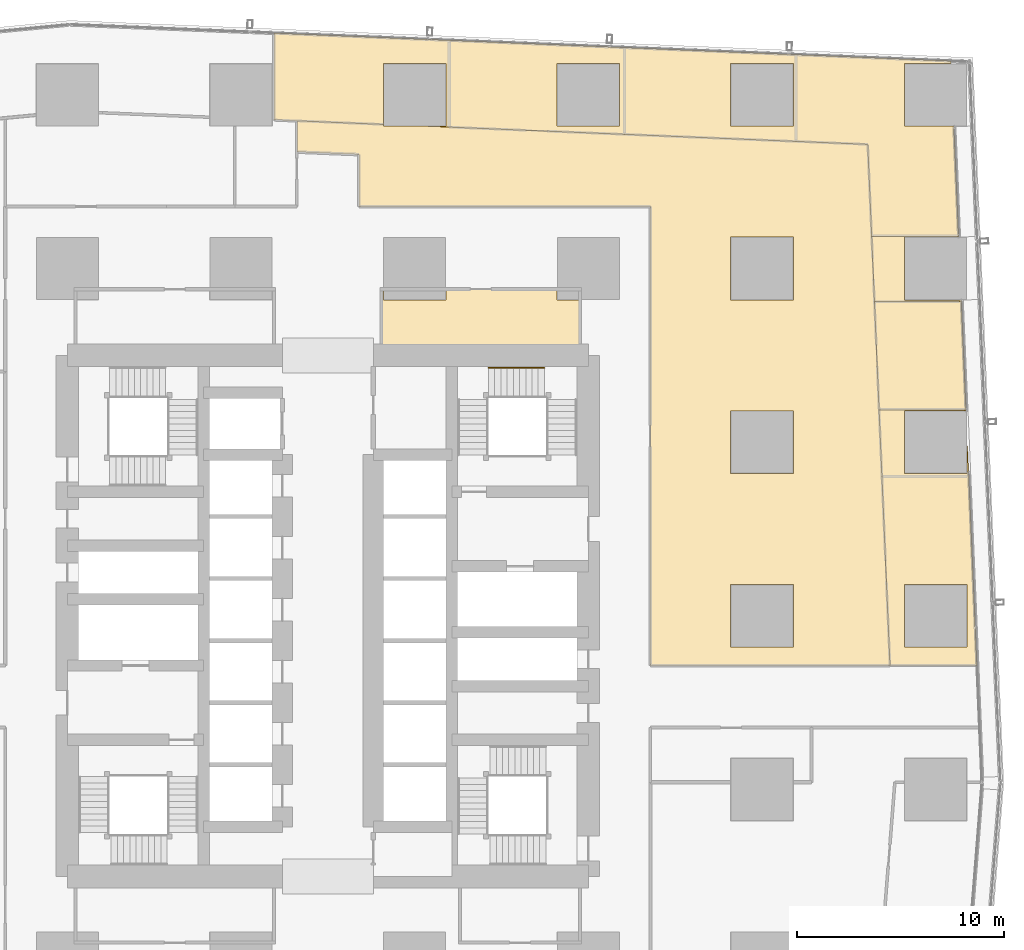
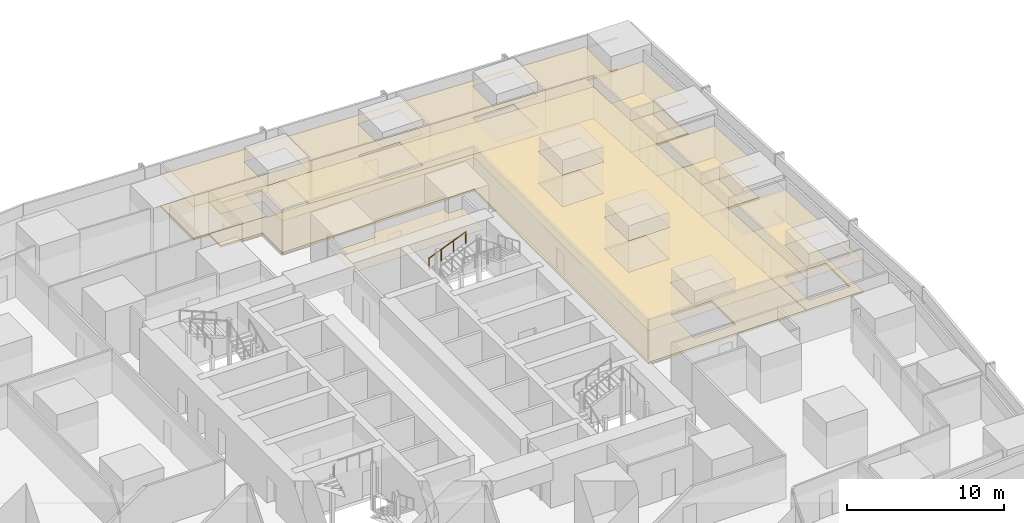
# One storey, part 45 of 45: 11 coverings, 1 railing.
"""IFC4 building model written with IfcOpenShell, lengths in metres."""

import ifcopenshell
import ifcopenshell.guid

model = None  # the IFC model being written
_history = None  # IfcOwnerHistory: only IFC2X3 demands one
_inside = {}  # id of a spatial element -> (the spatial element, [elements in it])
_under = {}  # id of a project, library or spatial element -> (it, [spatial elements below it])
_declared = {}  # id of a project -> (the project, [libraries it declares])
_typed = {}  # id of a type object -> (the type object, [elements of that type])
_made_of = {}  # id of a material, layer set ... -> (it, [elements and type objects made of it])


def new_model(schema):
    """Start an empty IFC model of exactly this schema.

    Asked for "IFC4X3", IfcOpenShell would pick the latest addendum, in which some entities
    have other attributes; the version numbers below select the first issue.
    IFC2X3 requires an IfcOwnerHistory on every rooted entity: one is made here for all.
    """
    global model, _history
    if schema == "IFC4X3":
        model = ifcopenshell.file(schema_version=(4, 3, 0, 0))
    else:
        model = ifcopenshell.file(schema=schema)
    _inside.clear()
    _under.clear()
    _declared.clear()
    _typed.clear()
    _made_of.clear()
    _history = None
    if model.schema == "IFC2X3":
        org = make("IfcOrganization", Name="unknown")
        user = make(
            "IfcPersonAndOrganization",
            ThePerson=make("IfcPerson", FamilyName="unknown"),
            TheOrganization=org,
        )
        app = make(
            "IfcApplication",
            ApplicationDeveloper=org,
            Version="unknown",
            ApplicationFullName="unknown",
            ApplicationIdentifier="unknown",
        )
        _history = make(
            "IfcOwnerHistory",
            OwningUser=user,
            OwningApplication=app,
            ChangeAction="ADDED",
            CreationDate=0,
        )
    return model


def make(cls, **values):
    """One entity of the class cls with the attributes given. An attribute that is None is left unset."""
    return model.create_entity(
        cls, **{name: value for name, value in values.items() if value is not None}
    )


def rooted(cls, **values):
    """An entity with a GlobalId (a new one), such as an element, a storey or a relation."""
    return make(cls, GlobalId=ifcopenshell.guid.new(), OwnerHistory=_history, **values)


def si_unit(unit_type, name, prefix=None):
    """IfcSIUnit, for example si_unit("LENGTHUNIT", "METRE", prefix="MILLI")."""
    return make("IfcSIUnit", UnitType=unit_type, Prefix=prefix, Name=name)


def assignment(units):
    """IfcUnitAssignment: the units of a project."""
    return None if units is None else make("IfcUnitAssignment", Units=units)


def point(xyz):
    """IfcCartesianPoint."""
    return None if xyz is None else make("IfcCartesianPoint", Coordinates=xyz)


def direction(xyz):
    """IfcDirection."""
    return None if xyz is None else make("IfcDirection", DirectionRatios=xyz)


def frame(location, z_axis=None, x_axis=None):
    """IfcAxis2Placement3D, a coordinate frame: its origin and axes. An axis left out is left unset."""
    return make(
        "IfcAxis2Placement3D",
        Location=point(location),
        Axis=direction(z_axis),
        RefDirection=direction(x_axis),
    )


def frame_2d(location, x_axis=None):
    """IfcAxis2Placement2D, a coordinate frame in the plane: its origin and x axis."""
    return make(
        "IfcAxis2Placement2D", Location=point(location), RefDirection=direction(x_axis)
    )


def origin():
    """The frame at (0, 0, 0) with its axes left unset."""
    return frame((0.0, 0.0, 0.0))


def origin_2d():
    """The frame at (0, 0) in the plane with its x axis left unset."""
    return frame_2d((0.0, 0.0))


def place(relative_to, where):
    """IfcLocalPlacement: puts the frame where relative to a parent placement (None: the world)."""
    return make(
        "IfcLocalPlacement", PlacementRelTo=relative_to, RelativePlacement=where
    )


def context(
    kind, dimensions, precision=None, world=None, true_north=None, identifier=None
):
    """IfcGeometricRepresentationContext, for example the 3D "Model" context."""
    return make(
        "IfcGeometricRepresentationContext",
        ContextIdentifier=identifier,
        ContextType=kind,
        CoordinateSpaceDimension=dimensions,
        Precision=precision,
        WorldCoordinateSystem=world,
        TrueNorth=true_north,
    )


def subcontext(parent, identifier, kind, view, scale=None):
    """IfcGeometricRepresentationSubContext, for example "Body" below "Model"."""
    return make(
        "IfcGeometricRepresentationSubContext",
        ContextIdentifier=identifier,
        ContextType=kind,
        ParentContext=parent,
        TargetScale=scale,
        TargetView=view,
    )


def project(units=None, contexts=None):
    """IfcProject with its units and contexts."""
    return rooted(
        "IfcProject",
        Name="project",
        RepresentationContexts=contexts,
        UnitsInContext=assignment(units),
    )


def spatial(cls, under=None, at=None, **own):
    """A site, building, storey or space (cls), placed at a placement, below another one or the project."""
    s = rooted(cls, ObjectPlacement=at, **own)
    if under is not None:
        _under.setdefault(under.id(), (under, []))[1].append(s)
    return s


def polyline(points):
    """IfcPolyline through the points."""
    return make("IfcPolyline", Points=[point(p) for p in points])


def profile(cls, at=None, kind="AREA", **sizes):
    """A parametric profile (cls). Its sizes go by their IFC names, for example OverallWidth=200.0."""
    return make(cls, ProfileType=kind, Position=at, **sizes)


def circle(**sizes):
    """IfcCircleProfileDef."""
    return profile("IfcCircleProfileDef", **sizes)


def outline(outer, holes=None, kind="AREA"):
    """IfcArbitraryClosedProfileDef: a profile drawn as a closed curve; with holes, ...WithVoids."""
    if holes is None:
        return make("IfcArbitraryClosedProfileDef", ProfileType=kind, OuterCurve=outer)
    return make(
        "IfcArbitraryProfileDefWithVoids",
        ProfileType=kind,
        OuterCurve=outer,
        InnerCurves=holes,
    )


def extrude(swept, where, along, depth):
    """IfcExtrudedAreaSolid: the profile swept, set in the frame where, extruded along a direction by depth."""
    return make(
        "IfcExtrudedAreaSolid",
        SweptArea=swept,
        Position=where,
        ExtrudedDirection=direction(along),
        Depth=depth,
    )


def shape(context_of_items, identifier, shape_type, items):
    """IfcShapeRepresentation: the items that make up one representation, for example the "Body"."""
    return make(
        "IfcShapeRepresentation",
        ContextOfItems=context_of_items,
        RepresentationIdentifier=identifier,
        RepresentationType=shape_type,
        Items=items,
    )


def material(Name=None, Category=None):
    """IfcMaterial."""
    return make("IfcMaterial", Name=Name, Category=Category)


def layer(
    of_material, thickness, ventilated=None, Name=None, Category=None, Priority=None
):
    """IfcMaterialLayer: one layer of a wall or slab, of a material (None: an air gap)."""
    return make(
        "IfcMaterialLayer",
        Material=of_material,
        LayerThickness=thickness,
        IsVentilated=ventilated,
        Name=Name,
        Category=Category,
        Priority=Priority,
    )


def layer_set(layers, Name=None):
    """IfcMaterialLayerSet."""
    return make("IfcMaterialLayerSet", MaterialLayers=layers, LayerSetName=Name)


def made_of(thing, what):
    """Note that an element or type object is made of a material, layer set ...; save() writes the relation."""
    if what is not None:
        _made_of.setdefault(what.id(), (what, []))[1].append(thing)
    return thing


def type_object(cls, material=None, **own):
    """A type object (cls), such as IfcWallType, which elements share."""
    return made_of(rooted(cls, **own), material)


def element(
    cls,
    number,
    at=None,
    inside=None,
    cuts=None,
    type_object=None,
    material=None,
    context=None,
    identifier="Body",
    shape_type=None,
    held_by="IfcProductDefinitionShape",
    body=None,
    shapes=None,
    **own,
):
    """One element of the class cls, such as IfcWall. Its Tag is "e" and its number.

    at: its placement. inside: the storey or other place that contains it. cuts: it is an
    opening in that element (IfcRelVoidsElement). A single representation is given by context,
    identifier, shape_type and body (its items); several are given by shapes. held_by: the class
    of the entity that holds the representations. save() writes the other relations.
    """
    e = rooted(cls, Tag="e%d" % number, ObjectPlacement=at, **own)
    if body is not None:
        shapes = [shape(context, identifier, shape_type, body)]
    if shapes is not None:
        e.Representation = make(held_by, Representations=shapes)
    if inside is not None:
        _inside.setdefault(inside.id(), (inside, []))[1].append(e)
    if cuts is not None:
        rooted(
            "IfcRelVoidsElement", RelatingBuildingElement=cuts, RelatedOpeningElement=e
        )
    if type_object is not None:
        _typed.setdefault(type_object.id(), (type_object, []))[1].append(e)
    return made_of(e, material)


def aggregate(whole, parts):
    """IfcRelAggregates: a whole, such as a stair, and the parts it consists of."""
    return rooted("IfcRelAggregates", RelatingObject=whole, RelatedObjects=parts)


def save(model, path):
    """Write the relations noted so far, then the file.

    IfcRelAggregates (storeys below a building ...), IfcRelContainedInSpatialStructure (elements
    in a storey), IfcRelDefinesByType, IfcRelAssociatesMaterial and IfcRelDeclares: one each for
    every whole, place, type object, material and project.
    """
    for whole, parts in _under.values():
        aggregate(whole, parts)
    for where, things in _inside.values():
        rooted(
            "IfcRelContainedInSpatialStructure",
            RelatedElements=things,
            RelatingStructure=where,
        )
    for kind, things in _typed.values():
        rooted("IfcRelDefinesByType", RelatedObjects=things, RelatingType=kind)
    for what, things in _made_of.values():
        rooted("IfcRelAssociatesMaterial", RelatedObjects=things, RelatingMaterial=what)
    for by, libraries in _declared.values():
        rooted("IfcRelDeclares", RelatingContext=by, RelatedDefinitions=libraries)
    model.write(path)


model = new_model("IFC4")

# Units and contexts
model_context = context("Model", 3, precision=1e-05, world=origin(), true_north=direction((0.0, 1.0)))
body_context = subcontext(model_context, "Body", "Model", "MODEL_VIEW")
ifc_project = project(units=[si_unit("LENGTHUNIT", "METRE"), si_unit("AREAUNIT", "SQUARE_METRE"), si_unit("VOLUMEUNIT", "CUBIC_METRE"), si_unit("PLANEANGLEUNIT", "RADIAN"), si_unit("MASSUNIT", "GRAM", prefix="KILO")], contexts=[model_context])

# Site, building, storey
site_placement = place(None, origin())
site = spatial("IfcSite", under=ifc_project, at=site_placement, CompositionType="ELEMENT")
building_placement = place(site_placement, origin())
building = spatial("IfcBuilding", under=site, at=building_placement, Name="Rekha Terrace Tower", CompositionType="ELEMENT")
storey_placement = place(building_placement, frame((0.0, 0.0, 77.89990234375)))
storey = spatial("IfcBuildingStorey", under=building, at=storey_placement, Name="L19", CompositionType="ELEMENT", Elevation=77.89990234375)

# Coverings
ifc_material_1 = material(Name="Mineral fibre tile in exposed grid", Category="finish")
ifc_layer_1 = layer(ifc_material_1, 0.02001953125)
ifc_layer_set_1 = layer_set([ifc_layer_1], Name="Mineral fibre tile in exposed grid")
covering_type_1 = type_object("IfcCoveringType", Name="CL1 600x1200 office grid ceiling", PredefinedType="CEILING", material=ifc_layer_set_1)
covering_1_placement = place(storey_placement, frame((0.0, 0.0, 2.580078125)))
element("IfcCovering", 1, at=covering_1_placement, inside=storey, type_object=covering_type_1, Name="Ceiling L19-14", PredefinedType="CEILING", context=body_context, shape_type="SweptSolid", body=[
    extrude(outline(polyline([(68.6689453125, 43.514892578125), (68.6669921875, 43.555908203125), (64.464111328125, 43.555908203125), (64.60107421875, 40.337890625), (64.990966796875, 31.201904296875), (69.195068359375, 31.201904296875), (68.804931640625, 40.3349609375), (68.741943359375, 41.81005859375), (68.715087890625, 41.81005859375), (68.715087890625, 40.485107421875), (65.68505859375, 40.485107421875), (65.68505859375, 43.514892578125), (68.6689453125, 43.514892578125)]), holes=[polyline([(68.715087890625, 32.0849609375), (65.68505859375, 32.0849609375), (65.68505859375, 35.114990234375), (68.715087890625, 35.114990234375), (68.715087890625, 32.0849609375)])]), origin(), (0.0, 0.0, 1.0), 0.02001953125),
])
covering_2_placement = place(storey_placement, frame((0.0, 0.0, 2.580078125)))
element("IfcCovering", 2, at=covering_2_placement, inside=storey, type_object=covering_type_1, Name="Ceiling L19-15", PredefinedType="CEILING", context=body_context, shape_type="SweptSolid", body=[
    extrude(outline(polyline([(68.443115234375, 48.802978515625), (64.239013671875, 48.802978515625), (64.464111328125, 43.556884765625), (68.6669921875, 43.556884765625), (68.443115234375, 48.802978515625)])), origin(), (0.0, 0.0, 1.0), 0.02001953125),
])
covering_3_placement = place(storey_placement, frame((0.0, 0.0, 2.580078125)))
element("IfcCovering", 3, at=covering_3_placement, inside=storey, type_object=covering_type_1, Name="Ceiling L19-16", PredefinedType="CEILING", context=body_context, shape_type="SweptSolid", body=[
    extrude(outline(polyline([(68.30908203125, 51.9560546875), (64.10498046875, 51.9560546875), (64.239013671875, 48.803955078125), (68.443115234375, 48.803955078125), (68.43994140625, 48.885009765625), (65.68505859375, 48.885009765625), (65.68505859375, 51.9150390625), (68.31103515625, 51.9150390625), (68.30908203125, 51.9560546875)])), origin(), (0.0, 0.0, 1.0), 0.02001953125),
])
covering_4_placement = place(storey_placement, frame((0.0, 0.0, 2.580078125)))
element("IfcCovering", 4, at=covering_4_placement, inside=storey, type_object=covering_type_1, Name="Ceiling L19-17", PredefinedType="CEILING", context=body_context, shape_type="SweptSolid", body=[
    extrude(outline(polyline([(52.14306640625, 61.093994140625), (43.6708984375, 61.444091796875), (35.199951171875, 61.79296875), (35.199951171875, 57.589111328125), (40.485107421875, 57.37109375), (40.485107421875, 60.31494140625), (43.514892578125, 60.31494140625), (43.514892578125, 57.284912109375), (43.235107421875, 57.284912109375), (43.235107421875, 57.258056640625), (43.674072265625, 57.239990234375), (52.14599609375, 56.89111328125), (60.43896484375, 56.549072265625), (63.9150390625, 56.406005859375), (64.10498046875, 51.95703125), (68.30908203125, 51.95703125), (68.0810546875, 57.284912109375), (65.68505859375, 57.284912109375), (65.68505859375, 60.31494140625), (67.950927734375, 60.31494140625), (67.946044921875, 60.443115234375), (60.43896484375, 60.751953125), (52.14306640625, 61.093994140625)]), holes=[polyline([(60.31494140625, 57.284912109375), (57.284912109375, 57.284912109375), (57.284912109375, 60.31494140625), (60.31494140625, 60.31494140625), (60.31494140625, 57.284912109375)]), polyline([(51.9150390625, 57.284912109375), (48.885009765625, 57.284912109375), (48.885009765625, 60.31494140625), (51.9150390625, 60.31494140625), (51.9150390625, 57.284912109375)])]), origin(), (0.0, 0.0, 1.0), 0.02001953125),
])
covering_5_placement = place(storey_placement, frame((0.0, 0.0, 2.580078125)))
element("IfcCovering", 5, at=covering_5_placement, inside=storey, type_object=covering_type_1, Name="Ceiling L19-O3", PredefinedType="CEILING", context=body_context, shape_type="SweptSolid", body=[
    extrude(outline(polyline([(52.14404296875, 56.89111328125), (43.672119140625, 57.239990234375), (42.5810546875, 57.284912109375), (40.485107421875, 57.284912109375), (40.485107421875, 57.37109375), (36.300048828125, 57.5439453125), (36.300048828125, 56.04296875), (39.300048828125, 55.9189453125), (39.300048828125, 53.39990234375), (53.39990234375, 53.39990234375), (53.39990234375, 31.199951171875), (64.990966796875, 31.199951171875), (64.60009765625, 40.35205078125), (64.462890625, 43.572021484375), (64.238037109375, 48.819091796875), (64.10400390625, 51.971923828125), (63.9150390625, 56.406005859375), (60.43701171875, 56.549072265625), (52.14404296875, 56.89111328125)]), holes=[polyline([(60.31494140625, 32.0849609375), (57.284912109375, 32.0849609375), (57.284912109375, 35.114990234375), (60.31494140625, 35.114990234375), (60.31494140625, 32.0849609375)]), polyline([(60.31494140625, 40.485107421875), (57.284912109375, 40.485107421875), (57.284912109375, 43.514892578125), (60.31494140625, 43.514892578125), (60.31494140625, 40.485107421875)]), polyline([(60.31494140625, 48.885009765625), (57.284912109375, 48.885009765625), (57.284912109375, 51.9150390625), (60.31494140625, 51.9150390625), (60.31494140625, 48.885009765625)])]), origin(), (0.0, 0.0, 1.0), 0.02001953125),
])
ifc_material_2 = material(Name="Fibre cement board", Category="finish")
ifc_layer_2 = layer(ifc_material_2, 0.014892578125)
ifc_layer_set_2 = layer_set([ifc_layer_2], Name="Fibre cement board")
covering_type_2 = type_object("IfcCoveringType", Name="CL2 moisture-resistant board ceiling", PredefinedType="CEILING", material=ifc_layer_set_2)
covering_6_placement = place(storey_placement, frame((0.0, 0.0, 2.585205078125)))
element("IfcCovering", 6, at=covering_6_placement, inside=storey, type_object=covering_type_2, Name="Ceiling L19-WCF", PredefinedType="CEILING", context=body_context, shape_type="SweptSolid", body=[
    extrude(outline(polyline([(40.485107421875, 49.39990234375), (40.39990234375, 49.39990234375), (40.39990234375, 46.199951171875), (50.0, 46.199951171875), (50.0, 48.885009765625), (48.885009765625, 48.885009765625), (48.885009765625, 49.39990234375), (43.514892578125, 49.39990234375), (43.514892578125, 48.885009765625), (40.485107421875, 48.885009765625), (40.485107421875, 49.39990234375)])), origin(), (0.0, 0.0, 1.0), 0.014892578125),
])

# Railing
ifc_material_3 = material(Name="Stainless steel tube", Category="steel")
railing_type = type_object("IfcRailingType", Name="HR1 900 stair handrail", PredefinedType="HANDRAIL", material=ifc_material_3)
railing_placement = place(storey_placement, frame((45.574951171875, 45.590087890625, 1.375)))
element("IfcRailing", 7, at=railing_placement, inside=storey, type_object=railing_type, Name="Handrail ST2 L19 flight 2", PredefinedType="HANDRAIL", context=body_context, shape_type="SweptSolid", body=[
    extrude(circle(Radius=0.02392578125, at=origin_2d()), frame((0.0, 0.0, 0.8759765625), z_axis=(0.923074453586, 0.0, 0.384621311341), x_axis=(0.0, 1.0, 0.0)), (0.0, 0.0, 1.0), 2.925048828125),
    extrude(circle(Radius=0.02099609375, at=origin_2d()), origin(), (0.0, 0.0, 1.0), 0.851806640625),
    extrude(circle(Radius=0.02099609375, at=origin_2d()), frame((0.89990234375, 0.0, 0.375)), (0.0, 0.0, 1.0), 0.851806640625),
    extrude(circle(Radius=0.02099609375, at=origin_2d()), frame((1.800048828125, 0.0, 0.75)), (0.0, 0.0, 1.0), 0.851806640625),
    extrude(circle(Radius=0.02099609375, at=origin_2d()), frame((2.699951171875, 0.0, 1.125)), (0.0, 0.0, 1.0), 0.851806640625),
])

# Coverings
ifc_material_4 = material(Name="Calcium sulphate panels on steel pedestals", Category="steel")
ifc_layer_3 = layer(ifc_material_4, 0.14990234375)
ifc_layer_set_3 = layer_set([ifc_layer_3], Name="Calcium sulphate panels on steel pedestals")
covering_type_3 = type_object("IfcCoveringType", Name="RF1 150 raised access floor", PredefinedType="FLOORING", material=ifc_layer_set_3)
covering_7_placement = place(storey_placement, origin())
element("IfcCovering", 8, at=covering_7_placement, inside=storey, type_object=covering_type_3, Name="Raised floor L19-14", PredefinedType="FLOORING", context=body_context, shape_type="SweptSolid", body=[
    extrude(outline(polyline([(68.6689453125, 43.514892578125), (68.6669921875, 43.555908203125), (64.464111328125, 43.555908203125), (64.60107421875, 40.337890625), (64.990966796875, 31.201904296875), (69.195068359375, 31.201904296875), (68.804931640625, 40.3349609375), (68.741943359375, 41.81005859375), (68.715087890625, 41.81005859375), (68.715087890625, 40.485107421875), (65.68505859375, 40.485107421875), (65.68505859375, 43.514892578125), (68.6689453125, 43.514892578125)]), holes=[polyline([(68.715087890625, 32.0849609375), (65.68505859375, 32.0849609375), (65.68505859375, 35.114990234375), (68.715087890625, 35.114990234375), (68.715087890625, 32.0849609375)])]), origin(), (0.0, 0.0, 1.0), 0.150146484375),
])
covering_8_placement = place(storey_placement, origin())
element("IfcCovering", 9, at=covering_8_placement, inside=storey, type_object=covering_type_3, Name="Raised floor L19-15", PredefinedType="FLOORING", context=body_context, shape_type="SweptSolid", body=[
    extrude(outline(polyline([(68.443115234375, 48.802978515625), (64.239013671875, 48.802978515625), (64.464111328125, 43.556884765625), (68.6669921875, 43.556884765625), (68.443115234375, 48.802978515625)])), origin(), (0.0, 0.0, 1.0), 0.150146484375),
])
covering_9_placement = place(storey_placement, origin())
element("IfcCovering", 10, at=covering_9_placement, inside=storey, type_object=covering_type_3, Name="Raised floor L19-16", PredefinedType="FLOORING", context=body_context, shape_type="SweptSolid", body=[
    extrude(outline(polyline([(68.30908203125, 51.9560546875), (64.10498046875, 51.9560546875), (64.239013671875, 48.803955078125), (68.443115234375, 48.803955078125), (68.43994140625, 48.885009765625), (65.68505859375, 48.885009765625), (65.68505859375, 51.9150390625), (68.31103515625, 51.9150390625), (68.30908203125, 51.9560546875)])), origin(), (0.0, 0.0, 1.0), 0.150146484375),
])
covering_10_placement = place(storey_placement, origin())
element("IfcCovering", 11, at=covering_10_placement, inside=storey, type_object=covering_type_3, Name="Raised floor L19-17", PredefinedType="FLOORING", context=body_context, shape_type="SweptSolid", body=[
    extrude(outline(polyline([(52.14306640625, 61.093994140625), (43.6708984375, 61.444091796875), (35.199951171875, 61.79296875), (35.199951171875, 57.589111328125), (40.485107421875, 57.37109375), (40.485107421875, 60.31494140625), (43.514892578125, 60.31494140625), (43.514892578125, 57.284912109375), (43.235107421875, 57.284912109375), (43.235107421875, 57.258056640625), (43.674072265625, 57.239990234375), (52.14599609375, 56.89111328125), (60.43896484375, 56.549072265625), (63.9150390625, 56.406005859375), (64.10498046875, 51.95703125), (68.30908203125, 51.95703125), (68.0810546875, 57.284912109375), (65.68505859375, 57.284912109375), (65.68505859375, 60.31494140625), (67.950927734375, 60.31494140625), (67.946044921875, 60.443115234375), (60.43896484375, 60.751953125), (52.14306640625, 61.093994140625)]), holes=[polyline([(60.31494140625, 57.284912109375), (57.284912109375, 57.284912109375), (57.284912109375, 60.31494140625), (60.31494140625, 60.31494140625), (60.31494140625, 57.284912109375)]), polyline([(51.9150390625, 57.284912109375), (48.885009765625, 57.284912109375), (48.885009765625, 60.31494140625), (51.9150390625, 60.31494140625), (51.9150390625, 57.284912109375)])]), origin(), (0.0, 0.0, 1.0), 0.150146484375),
])
covering_11_placement = place(storey_placement, origin())
element("IfcCovering", 12, at=covering_11_placement, inside=storey, type_object=covering_type_3, Name="Raised floor L19-O3", PredefinedType="FLOORING", context=body_context, shape_type="SweptSolid", body=[
    extrude(outline(polyline([(52.14404296875, 56.89111328125), (43.672119140625, 57.239990234375), (42.5810546875, 57.284912109375), (40.485107421875, 57.284912109375), (40.485107421875, 57.37109375), (36.300048828125, 57.5439453125), (36.300048828125, 56.04296875), (39.300048828125, 55.9189453125), (39.300048828125, 53.39990234375), (53.39990234375, 53.39990234375), (53.39990234375, 31.199951171875), (64.990966796875, 31.199951171875), (64.60009765625, 40.35205078125), (64.462890625, 43.572021484375), (64.238037109375, 48.819091796875), (64.10400390625, 51.971923828125), (63.9150390625, 56.406005859375), (60.43701171875, 56.549072265625), (52.14404296875, 56.89111328125)]), holes=[polyline([(60.31494140625, 32.0849609375), (57.284912109375, 32.0849609375), (57.284912109375, 35.114990234375), (60.31494140625, 35.114990234375), (60.31494140625, 32.0849609375)]), polyline([(60.31494140625, 40.485107421875), (57.284912109375, 40.485107421875), (57.284912109375, 43.514892578125), (60.31494140625, 43.514892578125), (60.31494140625, 40.485107421875)]), polyline([(60.31494140625, 48.885009765625), (57.284912109375, 48.885009765625), (57.284912109375, 51.9150390625), (60.31494140625, 51.9150390625), (60.31494140625, 48.885009765625)])]), origin(), (0.0, 0.0, 1.0), 0.150146484375),
])

save(model, "model.ifc")
